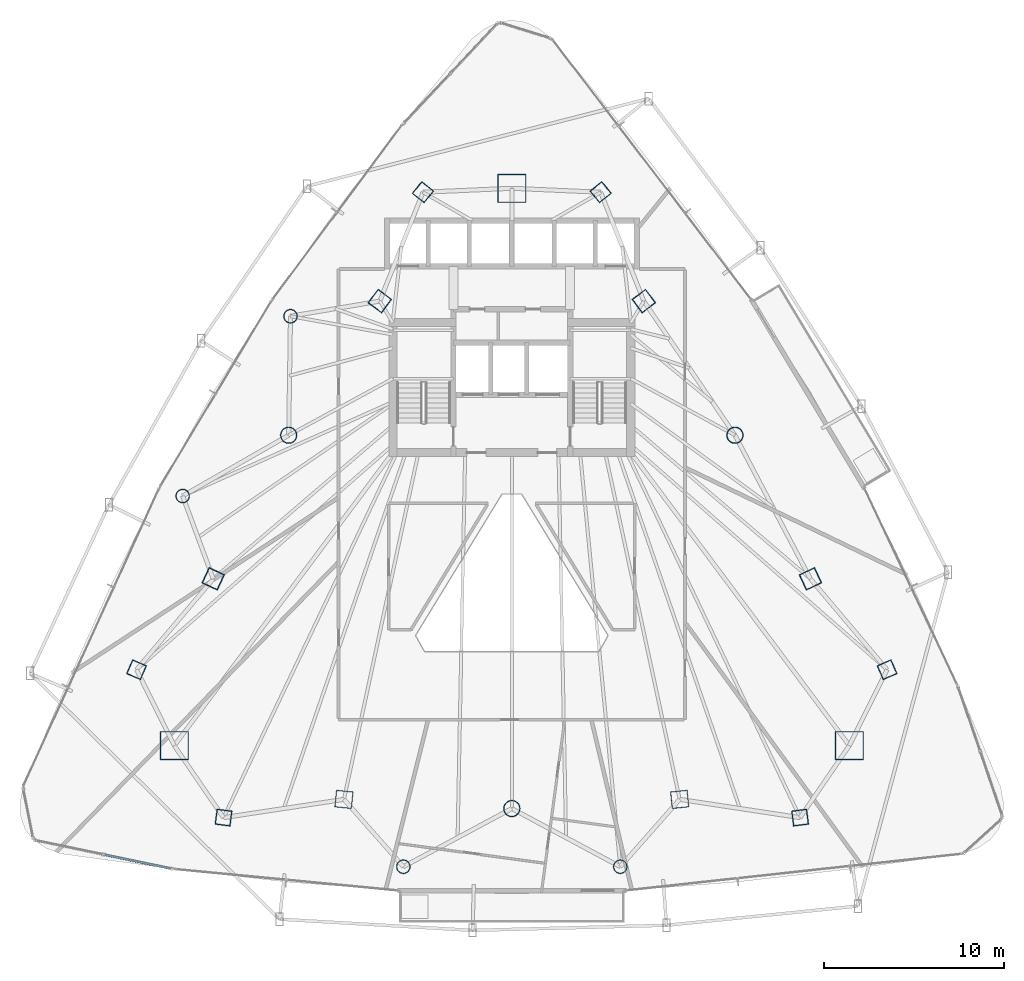
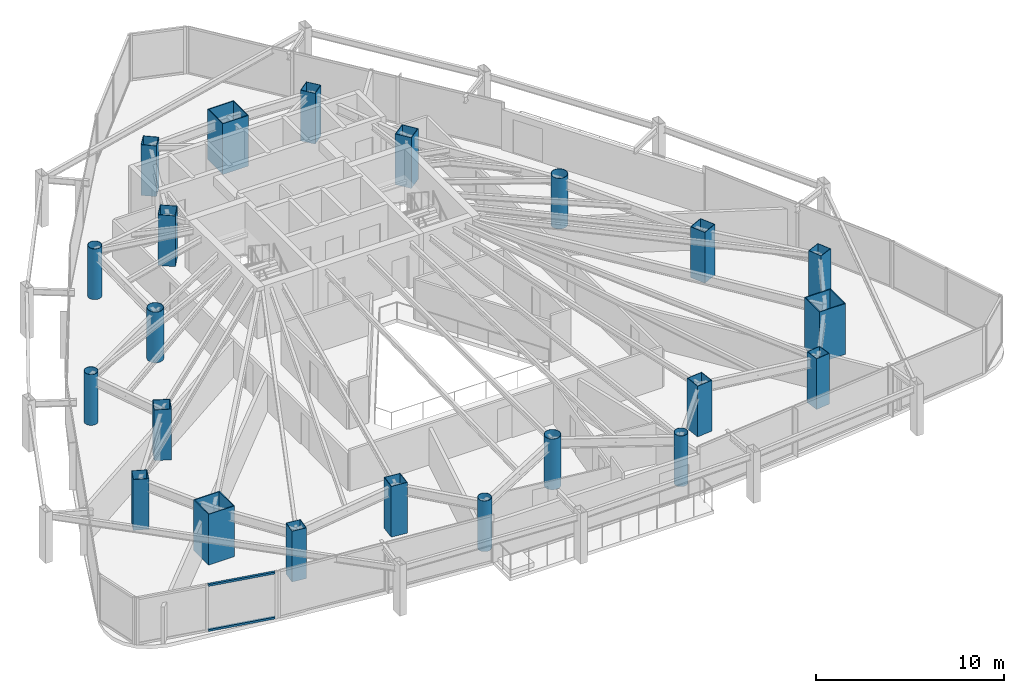
# One storey, part 1 of 33: 22 columns, 2 members, 1 element without a shape of its own.
"""IFC4 building model written with IfcOpenShell, lengths in metres."""

from ifc_helpers import new_model, si_unit, direction, frame, origin, origin_2d, place, context, subcontext, project, spatial, hollow_rectangle, hollow_circle, extrude, material, layer, layer_set, material_profile, profile_set, type_object, element, aggregate, save


model = new_model("IFC4")

# Units and contexts
model_context = context("Model", 3, precision=1e-05, world=origin(), true_north=direction((0.0, 1.0)))
body_context = subcontext(model_context, "Body", "Model", "MODEL_VIEW")
ifc_project = project(units=[si_unit("LENGTHUNIT", "METRE"), si_unit("AREAUNIT", "SQUARE_METRE"), si_unit("VOLUMEUNIT", "CUBIC_METRE"), si_unit("PLANEANGLEUNIT", "RADIAN"), si_unit("MASSUNIT", "GRAM", prefix="KILO")], contexts=[model_context])

# Site, building, storey
site_placement = place(None, origin())
site = spatial("IfcSite", under=ifc_project, at=site_placement, CompositionType="ELEMENT")
building_placement = place(site_placement, origin())
building = spatial("IfcBuilding", under=site, at=building_placement, Name="Orvanel Arch Residences", CompositionType="ELEMENT")
storey_placement = place(building_placement, frame((0.0, 0.0, 84.050048828125)))
storey = spatial("IfcBuildingStorey", under=building, at=storey_placement, Name="L23", CompositionType="ELEMENT", Elevation=84.050048828125)

# Columns
ifc_material_1 = material(Name="Structural steel AS/NZS 1163 C450L0 (Grade 450)", Category="steel")
ifc_material_profile_1 = material_profile(ifc_material_1, hollow_circle(Radius=0.381103515625, WallThickness=0.02197265625, at=origin_2d()), Name="CHS762x22")
ifc_profile_set_1 = profile_set([ifc_material_profile_1], Name="Structural steel AS/NZS 1163 C450L0 (Grade 450)")
column_type_1 = type_object("IfcColumnType", Name="CC-762", PredefinedType="COLUMN", material=ifc_profile_set_1)
for number, where, z_axis, x_axis, name in (
    (1, (20.669921875, 34.27099609375, 0.0), (0.0, 0.0, 1.0), (1.0, 0.0, 0.0), "L23 Low-Rise Buttress Tube Column 01"),
    (2, (14.662109375, 24.256103515625, 0.0), (0.0, 0.0, 1.0), (1.0, 0.0, 0.0), "L23 Low-Rise Buttress Tube Column 02"),
    (3, (26.9580078125, 3.60498046875, 0.0), (0.0, 0.0, 1.0), (1.0, 0.0, 0.0), "L23 Low-Rise Buttress Tube Column 03"),
    (4, (39.0419921875, 3.60498046875, 0.0), (0.0, 0.0, 1.0), (1.0, 0.0, 0.0), "L23 Low-Rise Buttress Tube Column 04"),
):
    element("IfcColumn", number, at=place(storey_placement, frame(where, z_axis=z_axis, x_axis=x_axis)), inside=storey, type_object=column_type_1, Name=name, PredefinedType="COLUMN", context=body_context, shape_type="SweptSolid", body=[
        extrude(hollow_circle(Radius=0.381103515625, WallThickness=0.02197265625, at=origin_2d()), origin(), (0.0, 0.0, 1.0), 3.300048828125),
    ])
ifc_material_profile_2 = material_profile(ifc_material_1, hollow_circle(Radius=0.45703125, WallThickness=0.02490234375, at=origin_2d()), Name="CHS914x25")
ifc_profile_set_2 = profile_set([ifc_material_profile_2], Name="Structural steel AS/NZS 1163 C450L0 (Grade 450)")
column_type_2 = type_object("IfcColumnType", Name="CC-914", PredefinedType="COLUMN", material=ifc_profile_set_2)
for number, where, z_axis, x_axis, name in (
    (5, (20.569091796875, 27.64111328125, 0.0), (0.0, 0.0, 1.0), (1.0, 0.0, 0.0), "L23 High-Rise Tube Column 02"),
    (6, (33.0, 6.843994140625, 0.0), (0.0, 0.0, 1.0), (1.0, 0.0, 0.0), "L23 High-Rise Tube Column 05"),
    (7, (45.430908203125, 27.64111328125, 0.0), (0.0, 0.0, 1.0), (1.0, 0.0, 0.0), "L23 High-Rise Tube Column 08"),
):
    element("IfcColumn", number, at=place(storey_placement, frame(where, z_axis=z_axis, x_axis=x_axis)), inside=storey, type_object=column_type_2, Name=name, PredefinedType="COLUMN", context=body_context, shape_type="SweptSolid", body=[
        extrude(hollow_circle(Radius=0.45703125, WallThickness=0.02490234375, at=origin_2d()), origin(), (0.0, 0.0, 1.0), 3.300048828125),
    ])
ifc_material_2 = material(Name="Structural steel AS/NZS 3678 Grade 450", Category="steel")
ifc_material_profile_3 = material_profile(ifc_material_2, hollow_rectangle(XDim=1.60009765625, YDim=1.60009765625, WallThickness=0.050048828125, at=origin_2d()), Name="BOX1600x1600x50")
ifc_profile_set_3 = profile_set([ifc_material_profile_3], Name="Structural steel AS/NZS 3678 Grade 450")
column_type_3 = type_object("IfcColumnType", Name="MC-1600", PredefinedType="COLUMN", material=ifc_profile_set_3)
for number, where, z_axis, x_axis, name in (
    (8, (33.0, 41.39794921875, 0.0), (0.0, 0.0, 1.0), (1.0, 0.0, 0.0), "L23 Corner Mega-Column 1"),
    (9, (14.198974609375, 10.35107421875, 0.0), (0.0, 0.0, 1.0), (1.0, 0.0, 0.0), "L23 Corner Mega-Column 2"),
    (10, (51.801025390625, 10.35107421875, 0.0), (0.0, 0.0, 1.0), (1.0, 0.0, 0.0), "L23 Corner Mega-Column 3"),
):
    element("IfcColumn", number, at=place(storey_placement, frame(where, z_axis=z_axis, x_axis=x_axis)), inside=storey, type_object=column_type_3, Name=name, PredefinedType="COLUMN", context=body_context, shape_type="SweptSolid", body=[
        extrude(hollow_rectangle(XDim=1.60009765625, YDim=1.60009765625, WallThickness=0.050048828125, at=origin_2d()), origin(), (0.0, 0.0, 1.0), 3.300048828125),
    ])
ifc_material_3 = material(Name="Structural steel AS/NZS 3678 Grade 350", Category="steel")
ifc_material_profile_4 = material_profile(ifc_material_3, hollow_rectangle(XDim=0.85009765625, YDim=0.85009765625, WallThickness=0.028076171875, at=origin_2d()), Name="BOX850x850x28")
ifc_profile_set_4 = profile_set([ifc_material_profile_4], Name="Structural steel AS/NZS 3678 Grade 350")
column_type_4 = type_object("IfcColumnType", Name="TC-850", PredefinedType="COLUMN", material=ifc_profile_set_4)
for number, where, z_axis, x_axis, name in (
    (11, (28.050048828125, 41.177978515625, 0.0), (0.0, 0.0, 1.0), (0.623879596709, 0.781520472419, 0.0), "L23 Mid-Rise Buttress Tube Column 01"),
    (12, (12.094970703125, 14.580078125, 0.0), (0.0, 0.0, 1.0), (0.397147890635, 0.917754625684, 0.0), "L23 Mid-Rise Buttress Tube Column 02"),
    (13, (16.94091796875, 6.339111328125, 0.0), (0.0, 0.0, 1.0), (-0.99189444259, 0.127064608601, 0.0), "L23 Mid-Rise Buttress Tube Column 03"),
    (14, (49.05908203125, 6.339111328125, 0.0), (0.0, 0.0, 1.0), (0.99189444259, 0.127064608601, 0.0), "L23 Mid-Rise Buttress Tube Column 04"),
    (15, (53.905029296875, 14.580078125, 0.0), (0.0, 0.0, 1.0), (-0.397147890635, 0.917754625684, 0.0), "L23 Mid-Rise Buttress Tube Column 05"),
    (16, (37.949951171875, 41.177978515625, 0.0), (0.0, 0.0, 1.0), (-0.623879596709, 0.781520472419, 0.0), "L23 Mid-Rise Buttress Tube Column 06"),
):
    element("IfcColumn", number, at=place(storey_placement, frame(where, z_axis=z_axis, x_axis=x_axis)), inside=storey, type_object=column_type_4, Name=name, PredefinedType="COLUMN", context=body_context, shape_type="SweptSolid", body=[
        extrude(hollow_rectangle(XDim=0.85009765625, YDim=0.85009765625, WallThickness=0.028076171875, at=origin_2d()), origin(), (0.0, 0.0, 1.0), 3.300048828125),
    ])
ifc_material_profile_5 = material_profile(ifc_material_3, hollow_rectangle(XDim=0.949951171875, YDim=0.949951171875, WallThickness=0.031982421875, at=origin_2d()), Name="BOX950x950x32")
ifc_profile_set_5 = profile_set([ifc_material_profile_5], Name="Structural steel AS/NZS 3678 Grade 350")
column_type_5 = type_object("IfcColumnType", Name="TC-950", PredefinedType="COLUMN", material=ifc_profile_set_5)
for number, where, z_axis, x_axis, name in (
    (17, (25.64794921875, 35.113037109375, 0.0), (0.0, 0.0, 1.0), (0.600420225326, 0.799684658487, 0.0), "L23 High-Rise Tube Column 01"),
    (18, (16.366943359375, 19.64208984375, 0.0), (0.0, 0.0, 1.0), (0.422618261741, 0.906307787037, 0.0), "L23 High-Rise Tube Column 03"),
    (19, (23.64892578125, 7.35498046875, 0.0), (0.0, 0.0, 1.0), (-0.994880708829, 0.101056297183, 0.0), "L23 High-Rise Tube Column 04"),
    (20, (42.35107421875, 7.35498046875, 0.0), (0.0, 0.0, 1.0), (0.994880708829, 0.101056297183, 0.0), "L23 High-Rise Tube Column 06"),
    (21, (49.633056640625, 19.64208984375, 0.0), (0.0, 0.0, 1.0), (-0.422618261741, 0.906307787037, 0.0), "L23 High-Rise Tube Column 07"),
    (22, (40.35205078125, 35.113037109375, 0.0), (0.0, 0.0, 1.0), (-0.600420225326, 0.799684658487, 0.0), "L23 High-Rise Tube Column 09"),
):
    element("IfcColumn", number, at=place(storey_placement, frame(where, z_axis=z_axis, x_axis=x_axis)), inside=storey, type_object=column_type_5, Name=name, PredefinedType="COLUMN", context=body_context, shape_type="SweptSolid", body=[
        extrude(hollow_rectangle(XDim=0.949951171875, YDim=0.949951171875, WallThickness=0.031982421875, at=origin_2d()), origin(), (0.0, 0.0, 1.0), 3.300048828125),
    ])

# Curtain wall, members
ifc_material_4 = material(Name="Bronze-anodised aluminium AA6063-T6", Category="aluminium")
ifc_layer = layer(ifc_material_4, 0.18994140625)
ifc_layer_set = layer_set([ifc_layer], Name="Bronze-anodised aluminium AA6063-T6")
curtain_wall_type = type_object("IfcCurtainWallType", Name="CW5-CRN-SYS", PredefinedType="NOTDEFINED", material=ifc_layer_set)
curtain_wall_placement = place(storey_placement, origin())
curtain_wall = element("IfcCurtainWall", 23, at=curtain_wall_placement, inside=storey, type_object=curtain_wall_type, Name="L23 CW5-CRN-SYS Unitised Curtain Wall", PredefinedType="NOTDEFINED")
ifc_material_profile_6 = material_profile(ifc_material_4, hollow_rectangle(XDim=0.1298828125, YDim=0.1298828125, WallThickness=0.00439453125, at=origin_2d()), Name="ALU130x130x4.5")
ifc_profile_set_6 = profile_set([ifc_material_profile_6], Name="Bronze-anodised aluminium AA6063-T6")
member_type = type_object("IfcMemberType", Name="TRN-130x130", PredefinedType="USERDEFINED", material=ifc_profile_set_6)
member_1_placement = place(storey_placement, frame((10.324951171875, 4.271728515625, 0.06494140625), z_axis=(0.978904321121, -0.20431918679, 0.0), x_axis=(0.20431918679, 0.978904321121, 0.0)))
member_1 = element("IfcMember", 24, at=member_1_placement, type_object=member_type, Name="CW-S5 transom 2.1", ObjectType="TRANSOM", PredefinedType="USERDEFINED", context=body_context, shape_type="SweptSolid", body=[
    extrude(hollow_rectangle(XDim=0.1298828125, YDim=0.1298828125, WallThickness=0.00439453125, at=origin_2d()), origin(), (0.0, 0.0, 1.0), 3.739990234375),
])
member_2_placement = place(storey_placement, frame((10.324951171875, 4.271728515625, 2.994873046875), z_axis=(0.978904321121, -0.20431918679, 0.0), x_axis=(0.20431918679, 0.978904321121, 0.0)))
member_2 = element("IfcMember", 25, at=member_2_placement, type_object=member_type, Name="CW-S5 transom 2.2", ObjectType="TRANSOM", PredefinedType="USERDEFINED", context=body_context, shape_type="SweptSolid", body=[
    extrude(hollow_rectangle(XDim=0.1298828125, YDim=0.1298828125, WallThickness=0.00439453125, at=origin_2d()), origin(), (0.0, 0.0, 1.0), 3.739990234375),
])
aggregate(curtain_wall, [member_1, member_2])

save(model, "model.ifc")
